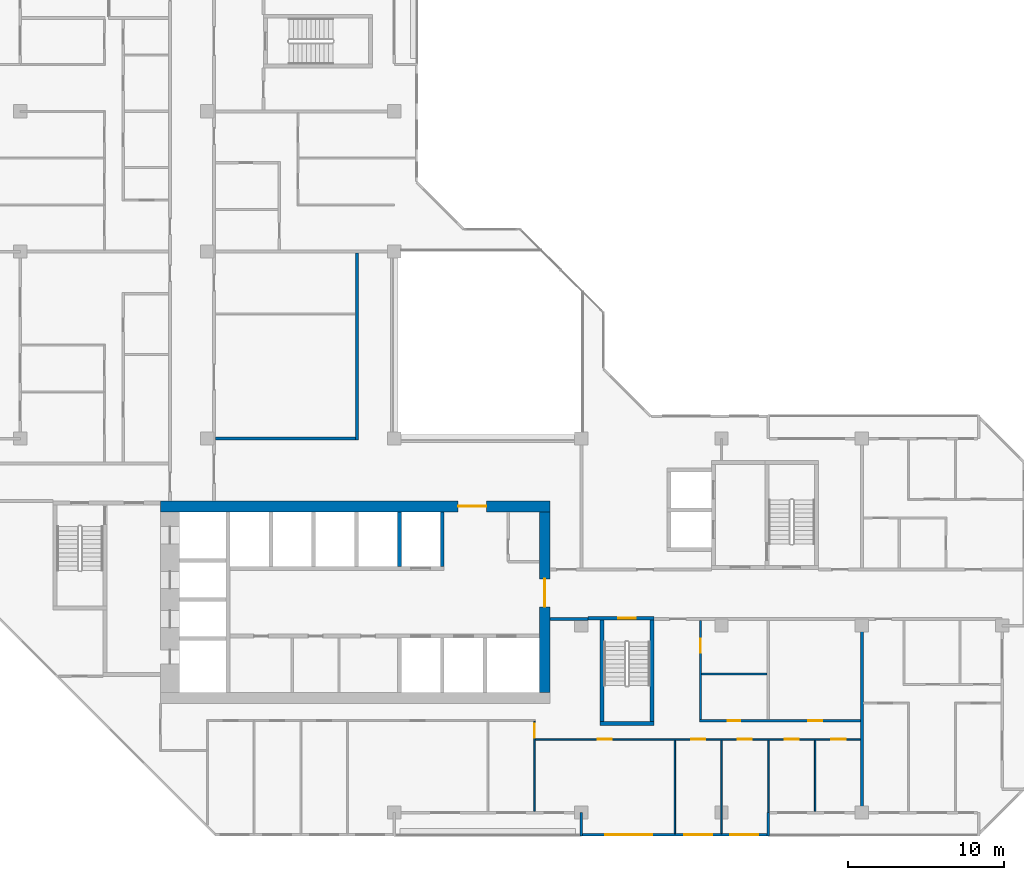
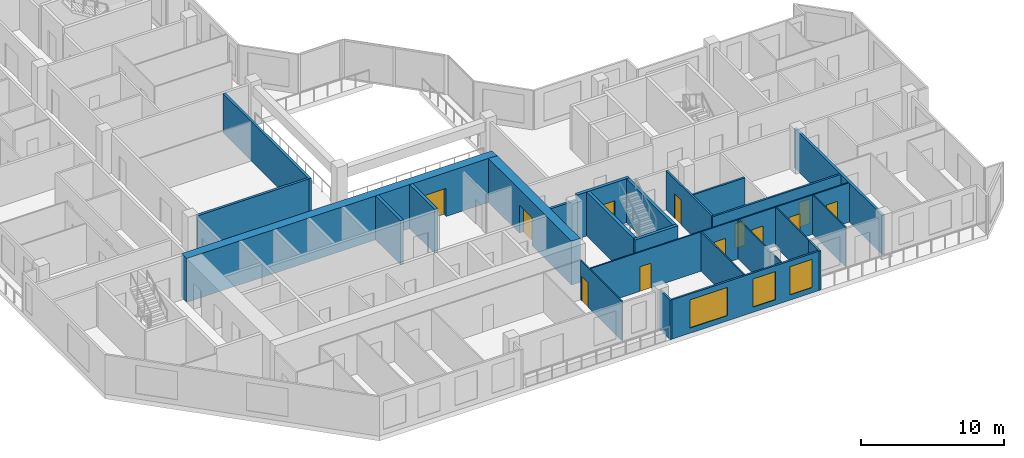
# One storey, part 6 of 16: 24 walls, 12 doors, 3 windows, 15 openings.
"""IFC4 building model written with IfcOpenShell, lengths in metres."""

from ifc_helpers import new_model, si_unit, direction, frame, frame_2d, origin, place, context, subcontext, project, spatial, rectangle, extrude, material, layer, layer_set, type_object, element, fill, save


model = new_model("IFC4")

# Units and contexts
model_context = context("Model", 3, precision=1e-05, world=origin(), true_north=direction((0.0, 1.0)))
body_context = subcontext(model_context, "Body", "Model", "MODEL_VIEW")
ifc_project = project(units=[si_unit("LENGTHUNIT", "METRE"), si_unit("AREAUNIT", "SQUARE_METRE"), si_unit("VOLUMEUNIT", "CUBIC_METRE"), si_unit("PLANEANGLEUNIT", "RADIAN"), si_unit("MASSUNIT", "GRAM", prefix="KILO")], contexts=[model_context])

# Site, building, storey
site_placement = place(None, origin())
site = spatial("IfcSite", under=ifc_project, at=site_placement, CompositionType="ELEMENT")
building_placement = place(site_placement, origin())
building = spatial("IfcBuilding", under=site, at=building_placement, Name="Chenar Terraces", CompositionType="ELEMENT")
storey_placement = place(building_placement, frame((0.0, 0.0, 222.89990234375)))
storey = spatial("IfcBuildingStorey", under=building, at=storey_placement, Name="L52", CompositionType="ELEMENT", Elevation=222.89990234375)

# Walls
ifc_material_1 = material(Name="Concrete C60/75", Category="concrete")
ifc_layer_1 = layer(ifc_material_1, 0.25)
ifc_layer_set_1 = layer_set([ifc_layer_1], Name="Concrete C60/75")
wall_type_1 = type_object("IfcWallType", Name="Core wall 250 Concrete C60/75", PredefinedType="SHEAR", material=ifc_layer_set_1)
for number, where, z_axis, x_axis, name in (
    (1, (24.324951171875, 15.800048828125, 0.0), (0.0, 0.0, 1.0), (0.0, 1.0, 0.0), "Core wall NS3 L52"),
    (2, (27.074951171875, 15.800048828125, 0.0), (0.0, 0.0, 1.0), (0.0, 1.0, 0.0), "Core wall NE L52"),
):
    element("IfcWall", number, at=place(storey_placement, frame(where, z_axis=z_axis, x_axis=x_axis)), inside=storey, type_object=wall_type_1, Name=name, PredefinedType="SHEAR", context=body_context, shape_type="SweptSolid", body=[
        extrude(rectangle(XDim=3.5, YDim=0.25, at=frame_2d((1.75, 0.0))), origin(), (0.0, 0.0, 1.0), 3.75),
    ])
wall_1_placement = place(storey_placement, frame((37.199951171875, 5.72509765625, 0.0), z_axis=(0.0, 0.0, 1.0), x_axis=(1.0, 0.0, 0.0)))
element("IfcWall", 3, at=wall_1_placement, inside=storey, type_object=wall_type_1, Name="Core wall ST2_S L52", PredefinedType="SHEAR", context=body_context, shape_type="SweptSolid", body=[
    extrude(rectangle(XDim=3.449951171875, YDim=0.25, at=frame_2d((1.72509765625, 0.0))), origin(), (0.0, 0.0, 1.0), 3.75),
])

# Wall, opening, door
wall_2_placement = place(storey_placement, frame((36.425048828125, 12.47509765625, 0.0), z_axis=(0.0, 0.0, 1.0), x_axis=(1.0, 0.0, 0.0)))
wall_2 = element("IfcWall", 4, at=wall_2_placement, inside=storey, type_object=wall_type_1, Name="Core wall ST2_N L52", PredefinedType="SHEAR", context=body_context, shape_type="SweptSolid", body=[
    extrude(rectangle(XDim=4.224853515625, YDim=0.25, at=frame_2d((2.1123046875, 0.0))), origin(), (0.0, 0.0, 1.0), 3.75),
])
opening_1_placement = place(wall_2_placement, frame((1.949951171875, 0.0, 0.0)))
opening_1 = element("IfcOpeningElement", 5, at=opening_1_placement, cuts=wall_2, Name="Opening DL52-C7", PredefinedType="OPENING", context=body_context, shape_type="SweptSolid", body=[
    extrude(rectangle(XDim=1.10009765625, YDim=2.199951171875, at=frame_2d((0.550048828125, 1.10009765625))), frame((0.0, 0.135009765625, 0.0), z_axis=(0.0, -1.0, 0.0), x_axis=(1.0, 0.0, 0.0)), (0.0, 0.0, 1.0), 0.27001953125),
])
ifc_material_2 = material(Name="Steel-framed fire-resisting door leaf", Category="steel")
door_type_1 = type_object("IfcDoorType", Name="Stair fire door FD60 1100 x 2200", OperationType="SINGLE_SWING_LEFT", PredefinedType="DOOR", material=ifc_material_2)
door_1_placement = place(opening_1_placement, frame((1.10009765625, 0.0, 0.0), z_axis=(0.0, 0.0, 1.0), x_axis=(-1.0, 0.0, 0.0)))
door_1 = element("IfcDoor", 6, at=door_1_placement, inside=storey, type_object=door_type_1, Name="Stair door DL52-C7", OperationType="SINGLE_SWING_LEFT", OverallHeight=2.199951171875, OverallWidth=1.10009765625, PredefinedType="DOOR", context=body_context, shape_type="SweptSolid", body=[
    extrude(rectangle(XDim=1.10009765625, YDim=2.199951171875, at=frame_2d((0.550048828125, 1.10009765625))), frame((0.0, 0.02490234375, 0.0), z_axis=(0.0, -1.0, 0.0), x_axis=(1.0, 0.0, 0.0)), (0.0, 0.0, 1.0), 0.050048828125),
])
fill(opening_1, door_1)

# Walls
for number, where, z_axis, x_axis, name in (
    (7, (37.324951171875, 5.85009765625, 0.0), (0.0, 0.0, 1.0), (0.0, 1.0, 0.0), "Core wall ST2_W L52"),
    (8, (40.52490234375, 5.85009765625, 0.0), (0.0, 0.0, 1.0), (0.0, 1.0, 0.0), "Core wall ST2_E L52"),
):
    element("IfcWall", number, at=place(storey_placement, frame(where, z_axis=z_axis, x_axis=x_axis)), inside=storey, type_object=wall_type_1, Name=name, PredefinedType="SHEAR", context=body_context, shape_type="SweptSolid", body=[
        extrude(rectangle(XDim=6.5, YDim=0.25, at=frame_2d((3.25, 0.0))), origin(), (0.0, 0.0, 1.0), 3.75),
    ])

# Wall, opening, door
ifc_material_3 = material(Name="Concrete C60/75", Category="concrete")
ifc_layer_2 = layer(ifc_material_3, 0.699951171875)
ifc_layer_set_2 = layer_set([ifc_layer_2], Name="Concrete C60/75")
wall_type_2 = type_object("IfcWallType", Name="Core wall 700 Concrete C60/75", PredefinedType="SHEAR", material=ifc_layer_set_2)
wall_3_placement = place(storey_placement, frame((9.0, 19.64990234375, 0.0), z_axis=(0.0, 0.0, 1.0), x_axis=(1.0, 0.0, 0.0)))
wall_3 = element("IfcWall", 9, at=wall_3_placement, inside=storey, type_object=wall_type_2, Name="Core wall N L52", PredefinedType="SHEAR", context=body_context, shape_type="SweptSolid", body=[
    extrude(rectangle(XDim=25.0, YDim=0.699951171875, at=frame_2d((12.5, 0.0))), origin(), (0.0, 0.0, 1.0), 3.75),
])
opening_2_placement = place(wall_3_placement, frame((19.10009765625, 0.0, 0.0)))
opening_2 = element("IfcOpeningElement", 10, at=opening_2_placement, cuts=wall_3, Name="Opening DL52-C2", PredefinedType="OPENING", context=body_context, shape_type="SweptSolid", body=[
    extrude(rectangle(XDim=1.800048828125, YDim=2.39990234375, at=frame_2d((0.89990234375, 1.199951171875))), frame((0.0, 0.35986328125, 0.0), z_axis=(0.0, -1.0, 0.0), x_axis=(1.0, 0.0, 0.0)), (0.0, 0.0, 1.0), 0.719970703125),
])
ifc_material_4 = material(Name="Steel-framed fire-resisting door leaf", Category="steel")
door_type_2 = type_object("IfcDoorType", Name="Core entrance double fire door FD60 1800 x 2400", OperationType="DOUBLE_DOOR_SINGLE_SWING", PredefinedType="DOOR", material=ifc_material_4)
door_2_placement = place(opening_2_placement, frame((1.800048828125, 0.0, 0.0), z_axis=(0.0, 0.0, 1.0), x_axis=(-1.0, 0.0, 0.0)))
door_2 = element("IfcDoor", 11, at=door_2_placement, inside=storey, type_object=door_type_2, Name="Core door DL52-C2", OperationType="DOUBLE_DOOR_SINGLE_SWING", OverallHeight=2.39990234375, OverallWidth=1.800048828125, PredefinedType="DOOR", context=body_context, shape_type="SweptSolid", body=[
    extrude(rectangle(XDim=1.800048828125, YDim=2.39990234375, at=frame_2d((0.89990234375, 1.199951171875))), frame((0.0, 0.02490234375, 0.0), z_axis=(0.0, -1.0, 0.0), x_axis=(1.0, 0.0, 0.0)), (0.0, 0.0, 1.0), 0.050048828125),
])
fill(opening_2, door_2)

wall_4_placement = place(storey_placement, frame((33.64990234375, 7.699951171875, 0.0), z_axis=(0.0, 0.0, 1.0), x_axis=(0.0, 1.0, 0.0)))
wall_4 = element("IfcWall", 12, at=wall_4_placement, inside=storey, type_object=wall_type_2, Name="Core wall E L52", PredefinedType="SHEAR", context=body_context, shape_type="SweptSolid", body=[
    extrude(rectangle(XDim=11.60009765625, YDim=0.699951171875, at=frame_2d((5.800048828125, 0.0))), origin(), (0.0, 0.0, 1.0), 3.75),
])
opening_3_placement = place(wall_4_placement, frame((5.5, 0.0, 0.0)))
opening_3 = element("IfcOpeningElement", 13, at=opening_3_placement, cuts=wall_4, Name="Opening DL52-C1", PredefinedType="OPENING", context=body_context, shape_type="SweptSolid", body=[
    extrude(rectangle(XDim=1.800048828125, YDim=2.39990234375, at=frame_2d((0.89990234375, 1.199951171875))), frame((0.0, 0.35986328125, 0.0), z_axis=(0.0, -1.0, 0.0), x_axis=(1.0, 0.0, 0.0)), (0.0, 0.0, 1.0), 0.719970703125),
])
door_3_placement = place(opening_3_placement, origin())
door_3 = element("IfcDoor", 14, at=door_3_placement, inside=storey, type_object=door_type_2, Name="Core door DL52-C1", OperationType="DOUBLE_DOOR_SINGLE_SWING", OverallHeight=2.39990234375, OverallWidth=1.800048828125, PredefinedType="DOOR", context=body_context, shape_type="SweptSolid", body=[
    extrude(rectangle(XDim=1.800048828125, YDim=2.39990234375, at=frame_2d((0.89990234375, 1.199951171875))), frame((0.0, 0.02490234375, 0.0), z_axis=(0.0, -1.0, 0.0), x_axis=(1.0, 0.0, 0.0)), (0.0, 0.0, 1.0), 0.050048828125),
])
fill(opening_3, door_3)

# Walls
ifc_material_5 = material(Name="Gypsum board on steel studs with fire boards", Category="steel")
ifc_layer_3 = layer(ifc_material_5, 0.199951171875)
ifc_layer_set_3 = layer_set([ifc_layer_3], Name="Gypsum board on steel studs with fire boards")
wall_type_3 = type_object("IfcWallType", Name="Corridor wall 200", PredefinedType="PARTITIONING", material=ifc_layer_set_3)
wall_5_placement = place(storey_placement, frame((12.52490234375, 24.0, 0.0), z_axis=(0.0, 0.0, 1.0), x_axis=(1.0, 0.0, 0.0)))
element("IfcWall", 15, at=wall_5_placement, inside=storey, type_object=wall_type_3, Name="Partition L52-037", PredefinedType="PARTITIONING", context=body_context, shape_type="SweptSolid", body=[
    extrude(rectangle(XDim=8.97509765625, YDim=0.199951171875, at=frame_2d((4.487548828125, 0.0))), origin(), (0.0, 0.0, 1.0), 3.35009765625),
])
wall_6_placement = place(storey_placement, frame((21.60009765625, 23.89990234375, 0.0), z_axis=(0.0, 0.0, 1.0), x_axis=(0.0, 1.0, 0.0)))
element("IfcWall", 16, at=wall_6_placement, inside=storey, type_object=wall_type_3, Name="Partition L52-059", PredefinedType="PARTITIONING", context=body_context, shape_type="SweptSolid", body=[
    extrude(rectangle(XDim=12.0, YDim=0.199951171875, at=frame_2d((6.0, 0.0))), origin(), (0.0, 0.0, 1.0), 3.35009765625),
])
wall_7_placement = place(storey_placement, frame((34.0, 12.425048828125, 0.0), z_axis=(0.0, 0.0, 1.0), x_axis=(1.0, 0.0, 0.0)))
element("IfcWall", 17, at=wall_7_placement, inside=storey, type_object=wall_type_3, Name="Partition L52-063", PredefinedType="PARTITIONING", context=body_context, shape_type="SweptSolid", body=[
    extrude(rectangle(XDim=2.426025390625, YDim=0.199951171875, at=frame_2d((1.212890625, 0.0))), origin(), (0.0, 0.0, 1.0), 3.35009765625),
])

# Wall, openings, windows
ifc_material_6 = material(Name="Aluminium framed glazing", Category="aluminium")
ifc_layer_4 = layer(ifc_material_6, 0.14990234375)
ifc_layer_set_4 = layer_set([ifc_layer_4], Name="Aluminium framed glazing")
wall_type_4 = type_object("IfcWallType", Name="Glazed flush facade wall 150", PredefinedType="SOLIDWALL", material=ifc_layer_set_4)
wall_8_placement = place(storey_placement, frame((36.074951171875, -1.425048828125, 0.0), z_axis=(0.0, 0.0, 1.0), x_axis=(1.0, 0.0, 0.0)))
wall_8 = element("IfcWall", 18, at=wall_8_placement, inside=storey, type_object=wall_type_4, Name="Glazed flush facade wall", PredefinedType="SOLIDWALL", context=body_context, shape_type="SweptSolid", body=[
    extrude(rectangle(XDim=11.85009765625, YDim=0.14990234375, at=frame_2d((5.925048828125, 0.0))), origin(), (0.0, 0.0, 1.0), 3.35009765625),
])
opening_4_placement = place(wall_8_placement, frame((1.46240234375, 0.0, 0.449951171875)))
opening_4 = element("IfcOpeningElement", 19, at=opening_4_placement, cuts=wall_8, Name="Opening W300x240", PredefinedType="OPENING", context=body_context, shape_type="SweptSolid", body=[
    extrude(rectangle(XDim=3.0, YDim=2.39990234375, at=frame_2d((1.5, 1.199951171875))), frame((0.0, 0.0849609375, 0.0), z_axis=(0.0, -1.0, 0.0), x_axis=(1.0, 0.0, 0.0)), (0.0, 0.0, 1.0), 0.169921875),
])
opening_5_placement = place(wall_8_placement, frame((6.52490234375, 0.0, 0.449951171875)))
opening_5 = element("IfcOpeningElement", 20, at=opening_5_placement, cuts=wall_8, Name="Opening W180x240", PredefinedType="OPENING", context=body_context, shape_type="SweptSolid", body=[
    extrude(rectangle(XDim=1.800048828125, YDim=2.39990234375, at=frame_2d((0.89990234375, 1.199951171875))), frame((0.0, 0.0849609375, 0.0), z_axis=(0.0, -1.0, 0.0), x_axis=(1.0, 0.0, 0.0)), (0.0, 0.0, 1.0), 0.169921875),
])
opening_6_placement = place(wall_8_placement, frame((9.487548828125, 0.0, 0.449951171875)))
opening_6 = element("IfcOpeningElement", 21, at=opening_6_placement, cuts=wall_8, Name="Opening W180x240", PredefinedType="OPENING", context=body_context, shape_type="SweptSolid", body=[
    extrude(rectangle(XDim=1.800048828125, YDim=2.39990234375, at=frame_2d((0.89990234375, 1.199951171875))), frame((0.0, 0.0849609375, 0.0), z_axis=(0.0, -1.0, 0.0), x_axis=(1.0, 0.0, 0.0)), (0.0, 0.0, 1.0), 0.169921875),
])
ifc_material_7 = material(Name="Low emissivity double glazing, aluminium frame", Category="aluminium")
window_type_1 = type_object("IfcWindowType", Name="Fixed light 1800 x 2400", PartitioningType="SINGLE_PANEL", PredefinedType="WINDOW", material=ifc_material_7)
window_1_placement = place(opening_5_placement, origin())
window_1 = element("IfcWindow", 22, at=window_1_placement, inside=storey, type_object=window_type_1, Name="Window", OverallHeight=2.39990234375, OverallWidth=1.800048828125, PartitioningType="SINGLE_PANEL", PredefinedType="WINDOW", context=body_context, shape_type="SweptSolid", body=[
    extrude(rectangle(XDim=1.800048828125, YDim=2.39990234375, at=frame_2d((0.89990234375, 1.199951171875))), frame((0.0, 0.030029296875, 0.0), z_axis=(0.0, -1.0, 0.0), x_axis=(1.0, 0.0, 0.0)), (0.0, 0.0, 1.0), 0.06005859375),
])
fill(opening_5, window_1)
window_2_placement = place(opening_6_placement, origin())
window_2 = element("IfcWindow", 23, at=window_2_placement, inside=storey, type_object=window_type_1, Name="Window", OverallHeight=2.39990234375, OverallWidth=1.800048828125, PartitioningType="SINGLE_PANEL", PredefinedType="WINDOW", context=body_context, shape_type="SweptSolid", body=[
    extrude(rectangle(XDim=1.800048828125, YDim=2.39990234375, at=frame_2d((0.89990234375, 1.199951171875))), frame((0.0, 0.030029296875, 0.0), z_axis=(0.0, -1.0, 0.0), x_axis=(1.0, 0.0, 0.0)), (0.0, 0.0, 1.0), 0.06005859375),
])
fill(opening_6, window_2)
ifc_material_8 = material(Name="Low emissivity double glazing, aluminium frame", Category="aluminium")
window_type_2 = type_object("IfcWindowType", Name="Fixed light 3000 x 2400", PartitioningType="SINGLE_PANEL", PredefinedType="WINDOW", material=ifc_material_8)
window_3_placement = place(opening_4_placement, origin())
window_3 = element("IfcWindow", 24, at=window_3_placement, inside=storey, type_object=window_type_2, Name="Window", OverallHeight=2.39990234375, OverallWidth=3.0, PartitioningType="SINGLE_PANEL", PredefinedType="WINDOW", context=body_context, shape_type="SweptSolid", body=[
    extrude(rectangle(XDim=3.0, YDim=2.39990234375, at=frame_2d((1.5, 1.199951171875))), frame((0.0, 0.030029296875, 0.0), z_axis=(0.0, -1.0, 0.0), x_axis=(1.0, 0.0, 0.0)), (0.0, 0.0, 1.0), 0.06005859375),
])
fill(opening_4, window_3)

# Wall, opening, door
ifc_material_9 = material(Name="Gypsum board on steel studs", Category="steel")
ifc_layer_5 = layer(ifc_material_9, 0.10009765625)
ifc_layer_set_5 = layer_set([ifc_layer_5], Name="Gypsum board on steel studs")
wall_type_5 = type_object("IfcWallType", Name="Gypsum partition 100", PredefinedType="PARTITIONING", material=ifc_layer_set_5)
wall_9_placement = place(storey_placement, frame((33.0, 0.073974609375, 0.0), z_axis=(0.0, 0.0, 1.0), x_axis=(0.0, 1.0, 0.0)))
wall_9 = element("IfcWall", 25, at=wall_9_placement, inside=storey, type_object=wall_type_5, Name="Partition L52-061", PredefinedType="PARTITIONING", context=body_context, shape_type="SweptSolid", body=[
    extrude(rectangle(XDim=5.776123046875, YDim=0.10009765625, at=frame_2d((2.88818359375, 0.0))), origin(), (0.0, 0.0, 1.0), 3.35009765625),
])
opening_7_placement = place(wall_9_placement, frame((4.72607421875, 0.0, 0.0)))
opening_7 = element("IfcOpeningElement", 26, at=opening_7_placement, cuts=wall_9, Name="Opening DL52-48", PredefinedType="OPENING", context=body_context, shape_type="SweptSolid", body=[
    extrude(rectangle(XDim=0.89990234375, YDim=2.10009765625, at=frame_2d((0.449951171875, 1.050048828125))), frame((0.0, 0.06005859375, 0.0), z_axis=(0.0, -1.0, 0.0), x_axis=(1.0, 0.0, 0.0)), (0.0, 0.0, 1.0), 0.1201171875),
])
ifc_material_10 = material(Name="Veneered timber door leaf", Category="wood")
door_type_3 = type_object("IfcDoorType", Name="Door 900 x 2100", OperationType="SINGLE_SWING_LEFT", PredefinedType="DOOR", material=ifc_material_10)
door_4_placement = place(opening_7_placement, origin())
door_4 = element("IfcDoor", 27, at=door_4_placement, inside=storey, type_object=door_type_3, Name="Door DL52-48", OperationType="SINGLE_SWING_RIGHT", OverallHeight=2.10009765625, OverallWidth=0.89990234375, PredefinedType="DOOR", context=body_context, shape_type="SweptSolid", body=[
    extrude(rectangle(XDim=0.89990234375, YDim=2.10009765625, at=frame_2d((0.449951171875, 1.050048828125))), frame((0.0, 0.02490234375, 0.0), z_axis=(0.0, -1.0, 0.0), x_axis=(1.0, 0.0, 0.0)), (0.0, 0.0, 1.0), 0.050048828125),
])
fill(opening_7, door_4)

# Wall, openings, doors
wall_10_placement = place(storey_placement, frame((33.050048828125, 4.699951171875, 0.0), z_axis=(0.0, 0.0, 1.0), x_axis=(1.0, 0.0, 0.0)))
wall_10 = element("IfcWall", 28, at=wall_10_placement, inside=storey, type_object=wall_type_5, Name="Partition L52-062", PredefinedType="PARTITIONING", context=body_context, shape_type="SweptSolid", body=[
    extrude(rectangle(XDim=20.849853515625, YDim=0.10009765625, at=frame_2d((10.4248046875, 0.0))), origin(), (0.0, 0.0, 1.0), 3.35009765625),
])
opening_8_placement = place(wall_10_placement, frame((10.0, 0.0, 0.0)))
opening_8 = element("IfcOpeningElement", 29, at=opening_8_placement, cuts=wall_10, Name="Opening DL52-49", PredefinedType="OPENING", context=body_context, shape_type="SweptSolid", body=[
    extrude(rectangle(XDim=0.89990234375, YDim=2.10009765625, at=frame_2d((0.449951171875, 1.050048828125))), frame((0.0, 0.06005859375, 0.0), z_axis=(0.0, -1.0, 0.0), x_axis=(1.0, 0.0, 0.0)), (0.0, 0.0, 1.0), 0.1201171875),
])
opening_9_placement = place(wall_10_placement, frame((13.0, 0.0, 0.0)))
opening_9 = element("IfcOpeningElement", 30, at=opening_9_placement, cuts=wall_10, Name="Opening DL52-50", PredefinedType="OPENING", context=body_context, shape_type="SweptSolid", body=[
    extrude(rectangle(XDim=0.89990234375, YDim=2.10009765625, at=frame_2d((0.449951171875, 1.050048828125))), frame((0.0, 0.06005859375, 0.0), z_axis=(0.0, -1.0, 0.0), x_axis=(1.0, 0.0, 0.0)), (0.0, 0.0, 1.0), 0.1201171875),
])
opening_10_placement = place(wall_10_placement, frame((16.0, 0.0, 0.0)))
opening_10 = element("IfcOpeningElement", 31, at=opening_10_placement, cuts=wall_10, Name="Opening DL52-51", PredefinedType="OPENING", context=body_context, shape_type="SweptSolid", body=[
    extrude(rectangle(XDim=0.89990234375, YDim=2.10009765625, at=frame_2d((0.449951171875, 1.050048828125))), frame((0.0, 0.06005859375, 0.0), z_axis=(0.0, -1.0, 0.0), x_axis=(1.0, 0.0, 0.0)), (0.0, 0.0, 1.0), 0.1201171875),
])
opening_11_placement = place(wall_10_placement, frame((19.0, 0.0, 0.0)))
opening_11 = element("IfcOpeningElement", 32, at=opening_11_placement, cuts=wall_10, Name="Opening DL52-52", PredefinedType="OPENING", context=body_context, shape_type="SweptSolid", body=[
    extrude(rectangle(XDim=0.89990234375, YDim=2.10009765625, at=frame_2d((0.449951171875, 1.050048828125))), frame((0.0, 0.06005859375, 0.0), z_axis=(0.0, -1.0, 0.0), x_axis=(1.0, 0.0, 0.0)), (0.0, 0.0, 1.0), 0.1201171875),
])
opening_12_placement = place(wall_10_placement, frame((4.0, 0.0, 0.0)))
opening_12 = element("IfcOpeningElement", 33, at=opening_12_placement, cuts=wall_10, Name="Opening DL52-59", PredefinedType="OPENING", context=body_context, shape_type="SweptSolid", body=[
    extrude(rectangle(XDim=0.89990234375, YDim=2.10009765625, at=frame_2d((0.449951171875, 1.050048828125))), frame((0.0, 0.06005859375, 0.0), z_axis=(0.0, -1.0, 0.0), x_axis=(1.0, 0.0, 0.0)), (0.0, 0.0, 1.0), 0.1201171875),
])
door_5_placement = place(opening_8_placement, frame((0.89990234375, 0.0, 0.0), z_axis=(0.0, 0.0, 1.0), x_axis=(-1.0, 0.0, 0.0)))
door_5 = element("IfcDoor", 34, at=door_5_placement, inside=storey, type_object=door_type_3, Name="Door DL52-49", OperationType="SINGLE_SWING_LEFT", OverallHeight=2.10009765625, OverallWidth=0.89990234375, PredefinedType="DOOR", context=body_context, shape_type="SweptSolid", body=[
    extrude(rectangle(XDim=0.89990234375, YDim=2.10009765625, at=frame_2d((0.449951171875, 1.050048828125))), frame((0.0, 0.02490234375, 0.0), z_axis=(0.0, -1.0, 0.0), x_axis=(1.0, 0.0, 0.0)), (0.0, 0.0, 1.0), 0.050048828125),
])
fill(opening_8, door_5)
door_6_placement = place(opening_9_placement, frame((0.89990234375, 0.0, 0.0), z_axis=(0.0, 0.0, 1.0), x_axis=(-1.0, 0.0, 0.0)))
door_6 = element("IfcDoor", 35, at=door_6_placement, inside=storey, type_object=door_type_3, Name="Door DL52-50", OperationType="SINGLE_SWING_LEFT", OverallHeight=2.10009765625, OverallWidth=0.89990234375, PredefinedType="DOOR", context=body_context, shape_type="SweptSolid", body=[
    extrude(rectangle(XDim=0.89990234375, YDim=2.10009765625, at=frame_2d((0.449951171875, 1.050048828125))), frame((0.0, 0.02490234375, 0.0), z_axis=(0.0, -1.0, 0.0), x_axis=(1.0, 0.0, 0.0)), (0.0, 0.0, 1.0), 0.050048828125),
])
fill(opening_9, door_6)
door_7_placement = place(opening_10_placement, frame((0.89990234375, 0.0, 0.0), z_axis=(0.0, 0.0, 1.0), x_axis=(-1.0, 0.0, 0.0)))
door_7 = element("IfcDoor", 36, at=door_7_placement, inside=storey, type_object=door_type_3, Name="Door DL52-51", OperationType="SINGLE_SWING_LEFT", OverallHeight=2.10009765625, OverallWidth=0.89990234375, PredefinedType="DOOR", context=body_context, shape_type="SweptSolid", body=[
    extrude(rectangle(XDim=0.89990234375, YDim=2.10009765625, at=frame_2d((0.449951171875, 1.050048828125))), frame((0.0, 0.02490234375, 0.0), z_axis=(0.0, -1.0, 0.0), x_axis=(1.0, 0.0, 0.0)), (0.0, 0.0, 1.0), 0.050048828125),
])
fill(opening_10, door_7)
door_8_placement = place(opening_11_placement, frame((0.89990234375, 0.0, 0.0), z_axis=(0.0, 0.0, 1.0), x_axis=(-1.0, 0.0, 0.0)))
door_8 = element("IfcDoor", 37, at=door_8_placement, inside=storey, type_object=door_type_3, Name="Door DL52-52", OperationType="SINGLE_SWING_LEFT", OverallHeight=2.10009765625, OverallWidth=0.89990234375, PredefinedType="DOOR", context=body_context, shape_type="SweptSolid", body=[
    extrude(rectangle(XDim=0.89990234375, YDim=2.10009765625, at=frame_2d((0.449951171875, 1.050048828125))), frame((0.0, 0.02490234375, 0.0), z_axis=(0.0, -1.0, 0.0), x_axis=(1.0, 0.0, 0.0)), (0.0, 0.0, 1.0), 0.050048828125),
])
fill(opening_11, door_8)
door_9_placement = place(opening_12_placement, frame((0.89990234375, 0.0, 0.0), z_axis=(0.0, 0.0, 1.0), x_axis=(-1.0, 0.0, 0.0)))
door_9 = element("IfcDoor", 38, at=door_9_placement, inside=storey, type_object=door_type_3, Name="Door DL52-59", OperationType="SINGLE_SWING_LEFT", OverallHeight=2.10009765625, OverallWidth=0.89990234375, PredefinedType="DOOR", context=body_context, shape_type="SweptSolid", body=[
    extrude(rectangle(XDim=0.89990234375, YDim=2.10009765625, at=frame_2d((0.449951171875, 1.050048828125))), frame((0.0, 0.02490234375, 0.0), z_axis=(0.0, -1.0, 0.0), x_axis=(1.0, 0.0, 0.0)), (0.0, 0.0, 1.0), 0.050048828125),
])
fill(opening_12, door_9)

# Walls
wall_11_placement = place(storey_placement, frame((42.0, -1.35009765625, 0.0), z_axis=(0.0, 0.0, 1.0), x_axis=(0.0, 1.0, 0.0)))
element("IfcWall", 39, at=wall_11_placement, inside=storey, type_object=wall_type_5, Name="Partition L52-067", PredefinedType="PARTITIONING", context=body_context, shape_type="SweptSolid", body=[
    extrude(rectangle(XDim=6.0, YDim=0.10009765625, at=frame_2d((3.0, 0.0))), origin(), (0.0, 0.0, 1.0), 3.35009765625),
])
wall_12_placement = place(storey_placement, frame((45.0, -1.35107421875, 0.0), z_axis=(0.0, 0.0, 1.0), x_axis=(0.0, 1.0, 0.0)))
element("IfcWall", 40, at=wall_12_placement, inside=storey, type_object=wall_type_5, Name="Partition L52-071", PredefinedType="PARTITIONING", context=body_context, shape_type="SweptSolid", body=[
    extrude(rectangle(XDim=6.0009765625, YDim=0.10009765625, at=frame_2d((3.00048828125, 0.0))), origin(), (0.0, 0.0, 1.0), 3.35009765625),
])
wall_13_placement = place(storey_placement, frame((48.0, 0.0, 0.0), z_axis=(0.0, 0.0, 1.0), x_axis=(0.0, 1.0, 0.0)))
element("IfcWall", 41, at=wall_13_placement, inside=storey, type_object=wall_type_5, Name="Partition L52-073", PredefinedType="PARTITIONING", context=body_context, shape_type="SweptSolid", body=[
    extrude(rectangle(XDim=4.64990234375, YDim=0.10009765625, at=frame_2d((2.324951171875, 0.0))), origin(), (0.0, 0.0, 1.0), 3.35009765625),
])
wall_14_placement = place(storey_placement, frame((51.0, 0.073974609375, 0.0), z_axis=(0.0, 0.0, 1.0), x_axis=(0.0, 1.0, 0.0)))
element("IfcWall", 42, at=wall_14_placement, inside=storey, type_object=wall_type_5, Name="Partition L52-075", PredefinedType="PARTITIONING", context=body_context, shape_type="SweptSolid", body=[
    extrude(rectangle(XDim=4.575927734375, YDim=0.10009765625, at=frame_2d((2.2880859375, 0.0))), origin(), (0.0, 0.0, 1.0), 3.35009765625),
])
ifc_material_11 = material(Name="Terracotta cladding on insulated backing", Category="masonry")
ifc_layer_6 = layer(ifc_material_11, 0.14990234375)
ifc_layer_set_6 = layer_set([ifc_layer_6], Name="Terracotta cladding on insulated backing")
wall_type_6 = type_object("IfcWallType", Name="Loggia return wall 150", PredefinedType="SOLIDWALL", material=ifc_layer_set_6)
for number, where, z_axis, x_axis, name in (
    (43, (36.0, -1.5, 0.0), (0.0, 0.0, 1.0), (0.0, 1.0, 0.0), "Loggia return wall"),
    (44, (48.0, -1.5, 0.0), (0.0, 0.0, 1.0), (0.0, 1.0, 0.0), "Loggia return wall"),
):
    element("IfcWall", number, at=place(storey_placement, frame(where, z_axis=z_axis, x_axis=x_axis)), inside=storey, type_object=wall_type_6, Name=name, PredefinedType="SOLIDWALL", context=body_context, shape_type="SweptSolid", body=[
        extrude(rectangle(XDim=1.5, YDim=0.14990234375, at=frame_2d((0.75, 0.0))), origin(), (0.0, 0.0, 1.0), 3.35009765625),
    ])
ifc_material_12 = material(Name="Twin gypsum board on steel studs with mineral wool", Category="steel")
ifc_layer_7 = layer(ifc_material_12, 0.199951171875)
ifc_layer_set_7 = layer_set([ifc_layer_7], Name="Twin gypsum board on steel studs with mineral wool")
wall_type_7 = type_object("IfcWallType", Name="Unit demising wall 200", PredefinedType="PARTITIONING", material=ifc_layer_set_7)
wall_15_placement = place(storey_placement, frame((54.0, 0.073974609375, 0.0), z_axis=(0.0, 0.0, 1.0), x_axis=(0.0, 1.0, 0.0)))
element("IfcWall", 45, at=wall_15_placement, inside=storey, type_object=wall_type_7, Name="Partition L52-077", PredefinedType="PARTITIONING", context=body_context, shape_type="SweptSolid", body=[
    extrude(rectangle(XDim=12.2509765625, YDim=0.199951171875, at=frame_2d((6.12548828125, 0.0))), origin(), (0.0, 0.0, 1.0), 3.35009765625),
])

# Wall, openings, doors
ifc_material_13 = material(Name="Moisture-resistant gypsum board on steel studs", Category="steel")
ifc_layer_8 = layer(ifc_material_13, 0.14990234375)
ifc_layer_set_8 = layer_set([ifc_layer_8], Name="Moisture-resistant gypsum board on steel studs")
wall_type_8 = type_object("IfcWallType", Name="Wet-room partition 150", PredefinedType="PARTITIONING", material=ifc_layer_set_8)
wall_16_placement = place(storey_placement, frame((43.574951171875, 5.89990234375, 0.0), z_axis=(0.0, 0.0, 1.0), x_axis=(1.0, 0.0, 0.0)))
wall_16 = element("IfcWall", 46, at=wall_16_placement, inside=storey, type_object=wall_type_8, Name="Partition L52-068", PredefinedType="PARTITIONING", context=body_context, shape_type="SweptSolid", body=[
    extrude(rectangle(XDim=10.324951171875, YDim=0.14990234375, at=frame_2d((5.16259765625, 0.0))), origin(), (0.0, 0.0, 1.0), 3.35009765625),
])
opening_13_placement = place(wall_16_placement, frame((1.824951171875, 0.0, 0.0)))
opening_13 = element("IfcOpeningElement", 47, at=opening_13_placement, cuts=wall_16, Name="Opening DL52-44", PredefinedType="OPENING", context=body_context, shape_type="SweptSolid", body=[
    extrude(rectangle(XDim=0.800048828125, YDim=2.10009765625, at=frame_2d((0.39990234375, 1.050048828125))), frame((0.0, 0.0849609375, 0.0), z_axis=(0.0, -1.0, 0.0), x_axis=(1.0, 0.0, 0.0)), (0.0, 0.0, 1.0), 0.169921875),
])
opening_14_placement = place(wall_16_placement, frame((6.97509765625, 0.0, 0.0)))
opening_14 = element("IfcOpeningElement", 48, at=opening_14_placement, cuts=wall_16, Name="Opening DL52-55", PredefinedType="OPENING", context=body_context, shape_type="SweptSolid", body=[
    extrude(rectangle(XDim=0.89990234375, YDim=2.10009765625, at=frame_2d((0.449951171875, 1.050048828125))), frame((0.0, 0.0849609375, 0.0), z_axis=(0.0, -1.0, 0.0), x_axis=(1.0, 0.0, 0.0)), (0.0, 0.0, 1.0), 0.169921875),
])
ifc_material_14 = material(Name="Veneered timber door leaf", Category="wood")
door_type_4 = type_object("IfcDoorType", Name="Door 800 x 2100", OperationType="SINGLE_SWING_LEFT", PredefinedType="DOOR", material=ifc_material_14)
door_10_placement = place(opening_13_placement, origin())
door_10 = element("IfcDoor", 49, at=door_10_placement, inside=storey, type_object=door_type_4, Name="Door DL52-44", OperationType="SINGLE_SWING_RIGHT", OverallHeight=2.10009765625, OverallWidth=0.800048828125, PredefinedType="DOOR", context=body_context, shape_type="SweptSolid", body=[
    extrude(rectangle(XDim=0.800048828125, YDim=2.10009765625, at=frame_2d((0.39990234375, 1.050048828125))), frame((0.0, 0.02490234375, 0.0), z_axis=(0.0, -1.0, 0.0), x_axis=(1.0, 0.0, 0.0)), (0.0, 0.0, 1.0), 0.050048828125),
])
fill(opening_13, door_10)
door_11_placement = place(opening_14_placement, origin())
door_11 = element("IfcDoor", 50, at=door_11_placement, inside=storey, type_object=door_type_3, Name="Door DL52-55", OperationType="SINGLE_SWING_RIGHT", OverallHeight=2.10009765625, OverallWidth=0.89990234375, PredefinedType="DOOR", context=body_context, shape_type="SweptSolid", body=[
    extrude(rectangle(XDim=0.89990234375, YDim=2.10009765625, at=frame_2d((0.449951171875, 1.050048828125))), frame((0.0, 0.02490234375, 0.0), z_axis=(0.0, -1.0, 0.0), x_axis=(1.0, 0.0, 0.0)), (0.0, 0.0, 1.0), 0.050048828125),
])
fill(opening_14, door_11)

# Wall, opening, door
wall_17_placement = place(storey_placement, frame((43.64990234375, 5.97509765625, 0.0), z_axis=(0.0, 0.0, 1.0), x_axis=(0.0, 1.0, 0.0)))
wall_17 = element("IfcWall", 51, at=wall_17_placement, inside=storey, type_object=wall_type_8, Name="Partition L52-069", PredefinedType="PARTITIONING", context=body_context, shape_type="SweptSolid", body=[
    extrude(rectangle(XDim=6.349853515625, YDim=0.14990234375, at=frame_2d((3.1748046875, 0.0))), origin(), (0.0, 0.0, 1.0), 3.35009765625),
])
opening_15_placement = place(wall_17_placement, frame((4.27490234375, 0.0, 0.0)))
opening_15 = element("IfcOpeningElement", 52, at=opening_15_placement, cuts=wall_17, Name="Opening DL52-57", PredefinedType="OPENING", context=body_context, shape_type="SweptSolid", body=[
    extrude(rectangle(XDim=0.89990234375, YDim=2.10009765625, at=frame_2d((0.449951171875, 1.050048828125))), frame((0.0, 0.0849609375, 0.0), z_axis=(0.0, -1.0, 0.0), x_axis=(1.0, 0.0, 0.0)), (0.0, 0.0, 1.0), 0.169921875),
])
door_12_placement = place(opening_15_placement, frame((0.89990234375, 0.0, 0.0), z_axis=(0.0, 0.0, 1.0), x_axis=(-1.0, 0.0, 0.0)))
door_12 = element("IfcDoor", 53, at=door_12_placement, inside=storey, type_object=door_type_3, Name="Door DL52-57", OperationType="SINGLE_SWING_LEFT", OverallHeight=2.10009765625, OverallWidth=0.89990234375, PredefinedType="DOOR", context=body_context, shape_type="SweptSolid", body=[
    extrude(rectangle(XDim=0.89990234375, YDim=2.10009765625, at=frame_2d((0.449951171875, 1.050048828125))), frame((0.0, 0.02490234375, 0.0), z_axis=(0.0, -1.0, 0.0), x_axis=(1.0, 0.0, 0.0)), (0.0, 0.0, 1.0), 0.050048828125),
])
fill(opening_15, door_12)

# Wall
wall_18_placement = place(storey_placement, frame((43.72509765625, 8.89990234375, 0.0), z_axis=(0.0, 0.0, 1.0), x_axis=(1.0, 0.0, 0.0)))
element("IfcWall", 54, at=wall_18_placement, inside=storey, type_object=wall_type_8, Name="Partition L52-070", PredefinedType="PARTITIONING", context=body_context, shape_type="SweptSolid", body=[
    extrude(rectangle(XDim=4.199951171875, YDim=0.14990234375, at=frame_2d((2.10009765625, 0.0))), origin(), (0.0, 0.0, 1.0), 3.35009765625),
])

save(model, "model.ifc")
